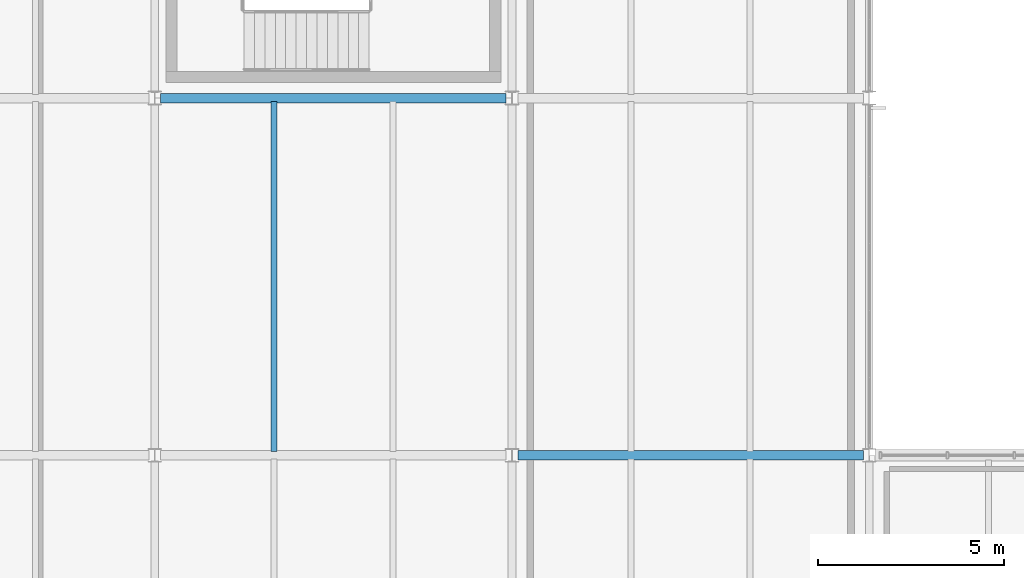
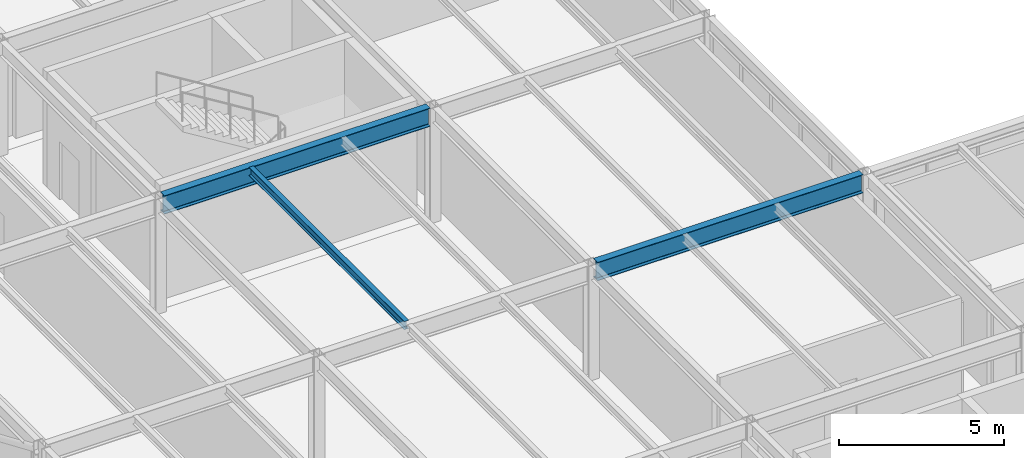
# One storey, part 25 of 170: 3 beams.
"""IFC4 building model written with IfcOpenShell, lengths in metres."""

from ifc_helpers import new_model, si_unit, direction, frame, origin, origin_2d, place, context, subcontext, project, spatial, i_section, extrude, material, material_profile, profile_set, type_object, element, save


model = new_model("IFC4")

# Units and contexts
model_context = context("Model", 3, precision=1e-05, world=origin(), true_north=direction((0.0, 1.0)))
body_context = subcontext(model_context, "Body", "Model", "MODEL_VIEW")
ifc_project = project(units=[si_unit("LENGTHUNIT", "METRE"), si_unit("AREAUNIT", "SQUARE_METRE"), si_unit("VOLUMEUNIT", "CUBIC_METRE"), si_unit("PLANEANGLEUNIT", "RADIAN"), si_unit("MASSUNIT", "GRAM", prefix="KILO")], contexts=[model_context])

# Site, building, storey
site_placement = place(None, origin())
site = spatial("IfcSite", under=ifc_project, at=site_placement, CompositionType="ELEMENT")
building_placement = place(site_placement, origin())
building = spatial("IfcBuilding", under=site, at=building_placement, Name="Coralgate Yard Interchange", CompositionType="ELEMENT")
storey_placement = place(building_placement, frame((0.0, 0.0, 6.0)))
storey = spatial("IfcBuildingStorey", under=building, at=storey_placement, Name="L01", CompositionType="ELEMENT", Elevation=6.0)

# Beams
ifc_material = material(Name="Structural steel S355J2", Category="steel")
ifc_material_profile_1 = material_profile(ifc_material, i_section(OverallWidth=0.253662109375, OverallDepth=0.68359375, WebThickness=0.012451171875, FlangeThickness=0.01904296875, FilletRadius=0.01513671875, at=origin_2d()), Name="UB 686x254x140")
ifc_profile_set_1 = profile_set([ifc_material_profile_1], Name="Structural steel S355J2")
beam_type_1 = type_object("IfcBeamType", Name="BM-SG-4", PredefinedType="BEAM", material=ifc_profile_set_1)
beam_1_placement = place(storey_placement, frame((19.356201171875, 19.199951171875, 3.908203125), z_axis=(1.0, 0.0, 0.0), x_axis=(0.0, 1.0, 0.0)))
element("IfcBeam", 1, at=beam_1_placement, inside=storey, type_object=beam_type_1, Name="L01 primary grid beam Y2 X2-3", PredefinedType="BEAM", context=body_context, shape_type="SweptSolid", body=[
    extrude(i_section(OverallWidth=0.253662109375, OverallDepth=0.68359375, WebThickness=0.012451171875, FlangeThickness=0.01904296875, FilletRadius=0.01513671875, at=origin_2d()), origin(), (0.0, 0.0, 1.0), 9.28759765625),
])
beam_2_placement = place(storey_placement, frame((9.75634765625, 28.800048828125, 3.908203125), z_axis=(1.0, 0.0, 0.0), x_axis=(0.0, 1.0, 0.0)))
element("IfcBeam", 2, at=beam_2_placement, inside=storey, type_object=beam_type_1, Name="L01 primary grid beam Y3 X1-2", PredefinedType="BEAM", context=body_context, shape_type="SweptSolid", body=[
    extrude(i_section(OverallWidth=0.253662109375, OverallDepth=0.68359375, WebThickness=0.012451171875, FlangeThickness=0.01904296875, FilletRadius=0.01513671875, at=origin_2d()), origin(), (0.0, 0.0, 1.0), 9.287353515625),
])
ifc_material_profile_2 = material_profile(ifc_material, i_section(OverallWidth=0.1650390625, OverallDepth=0.303466796875, WebThickness=0.006103515625, FlangeThickness=0.01025390625, FilletRadius=0.0087890625, at=origin_2d()), Name="UB 305x165x40")
ifc_profile_set_2 = profile_set([ifc_material_profile_2], Name="Structural steel S355J2")
beam_type_2 = type_object("IfcBeamType", Name="BM-SJ-1", PredefinedType="JOIST", material=ifc_profile_set_2)
beam_3_placement = place(storey_placement, frame((12.800048828125, 19.296875, 4.098388671875), z_axis=(0.0, 1.0, 0.0), x_axis=(-1.0, 0.0, 0.0)))
element("IfcBeam", 3, at=beam_3_placement, inside=storey, type_object=beam_type_2, Name="L01 composite floor joist 1-2-1", PredefinedType="JOIST", context=body_context, shape_type="SweptSolid", body=[
    extrude(i_section(OverallWidth=0.1650390625, OverallDepth=0.303466796875, WebThickness=0.006103515625, FlangeThickness=0.01025390625, FilletRadius=0.0087890625, at=origin_2d()), origin(), (0.0, 0.0, 1.0), 9.40625),
])

save(model, "model.ifc")
